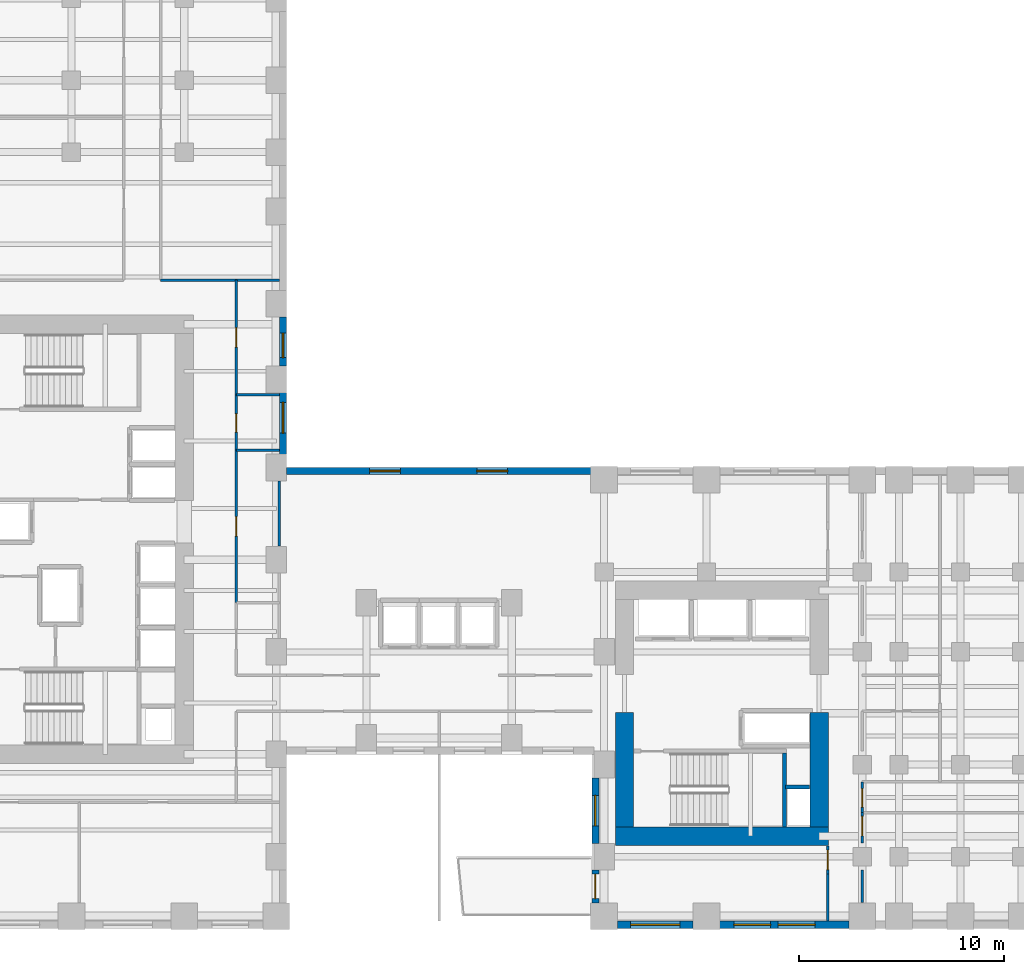
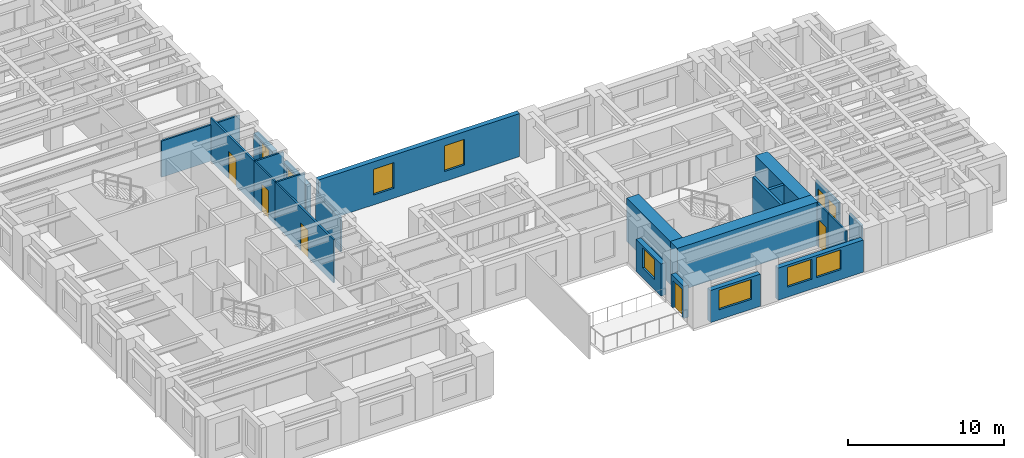
# One storey, part 6 of 12: 24 walls, 8 windows, 7 doors, 15 openings.
"""IFC4 building model written with IfcOpenShell, lengths in metres."""

import ifcopenshell
import ifcopenshell.guid

model = None  # the IFC model being written
_history = None  # IfcOwnerHistory: only IFC2X3 demands one
_inside = {}  # id of a spatial element -> (the spatial element, [elements in it])
_under = {}  # id of a project, library or spatial element -> (it, [spatial elements below it])
_declared = {}  # id of a project -> (the project, [libraries it declares])
_typed = {}  # id of a type object -> (the type object, [elements of that type])
_made_of = {}  # id of a material, layer set ... -> (it, [elements and type objects made of it])


def new_model(schema):
    """Start an empty IFC model of exactly this schema.

    Asked for "IFC4X3", IfcOpenShell would pick the latest addendum, in which some entities
    have other attributes; the version numbers below select the first issue.
    IFC2X3 requires an IfcOwnerHistory on every rooted entity: one is made here for all.
    """
    global model, _history
    if schema == "IFC4X3":
        model = ifcopenshell.file(schema_version=(4, 3, 0, 0))
    else:
        model = ifcopenshell.file(schema=schema)
    _inside.clear()
    _under.clear()
    _declared.clear()
    _typed.clear()
    _made_of.clear()
    _history = None
    if model.schema == "IFC2X3":
        org = make("IfcOrganization", Name="unknown")
        user = make(
            "IfcPersonAndOrganization",
            ThePerson=make("IfcPerson", FamilyName="unknown"),
            TheOrganization=org,
        )
        app = make(
            "IfcApplication",
            ApplicationDeveloper=org,
            Version="unknown",
            ApplicationFullName="unknown",
            ApplicationIdentifier="unknown",
        )
        _history = make(
            "IfcOwnerHistory",
            OwningUser=user,
            OwningApplication=app,
            ChangeAction="ADDED",
            CreationDate=0,
        )
    return model


def make(cls, **values):
    """One entity of the class cls with the attributes given. An attribute that is None is left unset."""
    return model.create_entity(
        cls, **{name: value for name, value in values.items() if value is not None}
    )


def rooted(cls, **values):
    """An entity with a GlobalId (a new one), such as an element, a storey or a relation."""
    return make(cls, GlobalId=ifcopenshell.guid.new(), OwnerHistory=_history, **values)


def si_unit(unit_type, name, prefix=None):
    """IfcSIUnit, for example si_unit("LENGTHUNIT", "METRE", prefix="MILLI")."""
    return make("IfcSIUnit", UnitType=unit_type, Prefix=prefix, Name=name)


def assignment(units):
    """IfcUnitAssignment: the units of a project."""
    return None if units is None else make("IfcUnitAssignment", Units=units)


def point(xyz):
    """IfcCartesianPoint."""
    return None if xyz is None else make("IfcCartesianPoint", Coordinates=xyz)


def direction(xyz):
    """IfcDirection."""
    return None if xyz is None else make("IfcDirection", DirectionRatios=xyz)


def frame(location, z_axis=None, x_axis=None):
    """IfcAxis2Placement3D, a coordinate frame: its origin and axes. An axis left out is left unset."""
    return make(
        "IfcAxis2Placement3D",
        Location=point(location),
        Axis=direction(z_axis),
        RefDirection=direction(x_axis),
    )


def frame_2d(location, x_axis=None):
    """IfcAxis2Placement2D, a coordinate frame in the plane: its origin and x axis."""
    return make(
        "IfcAxis2Placement2D", Location=point(location), RefDirection=direction(x_axis)
    )


def origin():
    """The frame at (0, 0, 0) with its axes left unset."""
    return frame((0.0, 0.0, 0.0))


def place(relative_to, where):
    """IfcLocalPlacement: puts the frame where relative to a parent placement (None: the world)."""
    return make(
        "IfcLocalPlacement", PlacementRelTo=relative_to, RelativePlacement=where
    )


def context(
    kind, dimensions, precision=None, world=None, true_north=None, identifier=None
):
    """IfcGeometricRepresentationContext, for example the 3D "Model" context."""
    return make(
        "IfcGeometricRepresentationContext",
        ContextIdentifier=identifier,
        ContextType=kind,
        CoordinateSpaceDimension=dimensions,
        Precision=precision,
        WorldCoordinateSystem=world,
        TrueNorth=true_north,
    )


def subcontext(parent, identifier, kind, view, scale=None):
    """IfcGeometricRepresentationSubContext, for example "Body" below "Model"."""
    return make(
        "IfcGeometricRepresentationSubContext",
        ContextIdentifier=identifier,
        ContextType=kind,
        ParentContext=parent,
        TargetScale=scale,
        TargetView=view,
    )


def project(units=None, contexts=None):
    """IfcProject with its units and contexts."""
    return rooted(
        "IfcProject",
        Name="project",
        RepresentationContexts=contexts,
        UnitsInContext=assignment(units),
    )


def spatial(cls, under=None, at=None, **own):
    """A site, building, storey or space (cls), placed at a placement, below another one or the project."""
    s = rooted(cls, ObjectPlacement=at, **own)
    if under is not None:
        _under.setdefault(under.id(), (under, []))[1].append(s)
    return s


def profile(cls, at=None, kind="AREA", **sizes):
    """A parametric profile (cls). Its sizes go by their IFC names, for example OverallWidth=200.0."""
    return make(cls, ProfileType=kind, Position=at, **sizes)


def rectangle(**sizes):
    """IfcRectangleProfileDef."""
    return profile("IfcRectangleProfileDef", **sizes)


def extrude(swept, where, along, depth):
    """IfcExtrudedAreaSolid: the profile swept, set in the frame where, extruded along a direction by depth."""
    return make(
        "IfcExtrudedAreaSolid",
        SweptArea=swept,
        Position=where,
        ExtrudedDirection=direction(along),
        Depth=depth,
    )


def shape(context_of_items, identifier, shape_type, items):
    """IfcShapeRepresentation: the items that make up one representation, for example the "Body"."""
    return make(
        "IfcShapeRepresentation",
        ContextOfItems=context_of_items,
        RepresentationIdentifier=identifier,
        RepresentationType=shape_type,
        Items=items,
    )


def source(mapping_origin, context_of_items, identifier, shape_type, items):
    """IfcRepresentationMap: a shape defined once, which mapped items show again and again."""
    return make(
        "IfcRepresentationMap",
        MappingOrigin=mapping_origin,
        MappedRepresentation=shape(context_of_items, identifier, shape_type, items),
    )


def transform(
    local_origin,
    x_axis=None,
    y_axis=None,
    z_axis=None,
    scale=None,
    scale2=None,
    scale3=None,
    uniform=True,
):
    """IfcCartesianTransformationOperator3D, or its non-uniform kind. x_axis, y_axis, z_axis: its Axis1, 2, 3."""
    if uniform:
        return make(
            "IfcCartesianTransformationOperator3D",
            Axis1=direction(x_axis),
            Axis2=direction(y_axis),
            LocalOrigin=point(local_origin),
            Scale=scale,
            Axis3=direction(z_axis),
        )
    return make(
        "IfcCartesianTransformationOperator3DnonUniform",
        Axis1=direction(x_axis),
        Axis2=direction(y_axis),
        LocalOrigin=point(local_origin),
        Scale=scale,
        Axis3=direction(z_axis),
        Scale2=scale2,
        Scale3=scale3,
    )


def mapped(mapping_source, mapping_target):
    """IfcMappedItem: shows the shape of a source again, moved by a transform."""
    return make(
        "IfcMappedItem", MappingSource=mapping_source, MappingTarget=mapping_target
    )


def material(Name=None, Category=None):
    """IfcMaterial."""
    return make("IfcMaterial", Name=Name, Category=Category)


def layer(
    of_material, thickness, ventilated=None, Name=None, Category=None, Priority=None
):
    """IfcMaterialLayer: one layer of a wall or slab, of a material (None: an air gap)."""
    return make(
        "IfcMaterialLayer",
        Material=of_material,
        LayerThickness=thickness,
        IsVentilated=ventilated,
        Name=Name,
        Category=Category,
        Priority=Priority,
    )


def layer_set(layers, Name=None):
    """IfcMaterialLayerSet."""
    return make("IfcMaterialLayerSet", MaterialLayers=layers, LayerSetName=Name)


def made_of(thing, what):
    """Note that an element or type object is made of a material, layer set ...; save() writes the relation."""
    if what is not None:
        _made_of.setdefault(what.id(), (what, []))[1].append(thing)
    return thing


def type_object(cls, material=None, **own):
    """A type object (cls), such as IfcWallType, which elements share."""
    return made_of(rooted(cls, **own), material)


def element(
    cls,
    number,
    at=None,
    inside=None,
    cuts=None,
    type_object=None,
    material=None,
    context=None,
    identifier="Body",
    shape_type=None,
    held_by="IfcProductDefinitionShape",
    body=None,
    shapes=None,
    **own,
):
    """One element of the class cls, such as IfcWall. Its Tag is "e" and its number.

    at: its placement. inside: the storey or other place that contains it. cuts: it is an
    opening in that element (IfcRelVoidsElement). A single representation is given by context,
    identifier, shape_type and body (its items); several are given by shapes. held_by: the class
    of the entity that holds the representations. save() writes the other relations.
    """
    e = rooted(cls, Tag="e%d" % number, ObjectPlacement=at, **own)
    if body is not None:
        shapes = [shape(context, identifier, shape_type, body)]
    if shapes is not None:
        e.Representation = make(held_by, Representations=shapes)
    if inside is not None:
        _inside.setdefault(inside.id(), (inside, []))[1].append(e)
    if cuts is not None:
        rooted(
            "IfcRelVoidsElement", RelatingBuildingElement=cuts, RelatedOpeningElement=e
        )
    if type_object is not None:
        _typed.setdefault(type_object.id(), (type_object, []))[1].append(e)
    return made_of(e, material)


def fill(opening, filler):
    """IfcRelFillsElement: the door or window that sits in an opening."""
    return rooted(
        "IfcRelFillsElement",
        RelatingOpeningElement=opening,
        RelatedBuildingElement=filler,
    )


def aggregate(whole, parts):
    """IfcRelAggregates: a whole, such as a stair, and the parts it consists of."""
    return rooted("IfcRelAggregates", RelatingObject=whole, RelatedObjects=parts)


def save(model, path):
    """Write the relations noted so far, then the file.

    IfcRelAggregates (storeys below a building ...), IfcRelContainedInSpatialStructure (elements
    in a storey), IfcRelDefinesByType, IfcRelAssociatesMaterial and IfcRelDeclares: one each for
    every whole, place, type object, material and project.
    """
    for whole, parts in _under.values():
        aggregate(whole, parts)
    for where, things in _inside.values():
        rooted(
            "IfcRelContainedInSpatialStructure",
            RelatedElements=things,
            RelatingStructure=where,
        )
    for kind, things in _typed.values():
        rooted("IfcRelDefinesByType", RelatedObjects=things, RelatingType=kind)
    for what, things in _made_of.values():
        rooted("IfcRelAssociatesMaterial", RelatedObjects=things, RelatingMaterial=what)
    for by, libraries in _declared.values():
        rooted("IfcRelDeclares", RelatingContext=by, RelatedDefinitions=libraries)
    model.write(path)


model = new_model("IFC4")

# Units and contexts
model_context = context("Model", 3, precision=1e-05, world=origin(), true_north=direction((0.0, 1.0)))
body_context = subcontext(model_context, "Body", "Model", "MODEL_VIEW")
ifc_project = project(units=[si_unit("LENGTHUNIT", "METRE"), si_unit("AREAUNIT", "SQUARE_METRE"), si_unit("VOLUMEUNIT", "CUBIC_METRE"), si_unit("PLANEANGLEUNIT", "RADIAN"), si_unit("MASSUNIT", "GRAM", prefix="KILO")], contexts=[model_context])

# Site, building, storey
site_placement = place(None, origin())
site = spatial("IfcSite", under=ifc_project, at=site_placement, CompositionType="ELEMENT")
building_placement = place(site_placement, origin())
building = spatial("IfcBuilding", under=site, at=building_placement, Name="Kharzan Plaza Tower", CompositionType="ELEMENT")
storey_placement = place(building_placement, frame((0.0, 0.0, 62.10009765625)))
storey = spatial("IfcBuildingStorey", under=building, at=storey_placement, Name="L16", CompositionType="ELEMENT", Elevation=62.10009765625)

# Wall, opening, window
ifc_material_1 = material(Name="Concrete C40/50", Category="concrete")
ifc_layer_1 = layer(ifc_material_1, 0.35009765625)
ifc_layer_set_1 = layer_set([ifc_layer_1], Name="Concrete C40/50")
wall_type_1 = type_object("IfcWallType", Name="WL-EXT-MAS-Z1", PredefinedType="SOLIDWALL", material=ifc_layer_set_1)
wall_1_placement = place(storey_placement, frame((34.574951171875, 7.35205078125, 0.0), z_axis=(0.0, 0.0, 1.0), x_axis=(0.0, -1.0, 0.0)))
wall_1 = element("IfcWall", 1, at=wall_1_placement, inside=storey, type_object=wall_type_1, Name="L16 Masonry-Frame Exterior Wall 31", PredefinedType="SOLIDWALL", context=body_context, shape_type="SweptSolid", body=[
    extrude(rectangle(XDim=3.2041015625, YDim=0.35009765625, at=frame_2d((1.60205078125, 0.0))), origin(), (0.0, 0.0, 1.0), 2.510009765625),
])
opening_1_placement = place(wall_1_placement, frame((0.85205078125, 0.0, 0.780029296875)))
opening_1 = element("IfcOpeningElement", 2, at=opening_1_placement, cuts=wall_1, Name="Opening W5", PredefinedType="OPENING", context=body_context, shape_type="SweptSolid", body=[
    extrude(rectangle(XDim=1.5, YDim=1.550048828125, at=frame_2d((0.75, 0.77490234375))), frame((0.0, 0.18505859375, 0.0), z_axis=(0.0, -1.0, 0.0), x_axis=(1.0, 0.0, 0.0)), (0.0, 0.0, 1.0), 0.3701171875),
])
ifc_material_2 = material(Name="Low-E Double Glazing", Category="glass")
window_type_1 = type_object("IfcWindowType", Name="WN-SLT-1500x2000", PartitioningType="SINGLE_PANEL", PredefinedType="WINDOW", material=ifc_material_2)
shared_shape_1 = source(origin(), body_context, "Body", "SweptSolid", [
    extrude(rectangle(XDim=1.5, YDim=1.550048828125, at=frame_2d((0.75, 0.77490234375))), frame((0.0, 0.030029296875, 0.0), z_axis=(0.0, -1.0, 0.0), x_axis=(1.0, 0.0, 0.0)), (0.0, 0.0, 1.0), 0.06005859375),
])
window_1_placement = place(opening_1_placement, origin())
window_1 = element("IfcWindow", 3, at=window_1_placement, inside=storey, type_object=window_type_1, Name="L16 Recessed Solar-Control Window 31-1", OverallHeight=1.550048828125, OverallWidth=1.5, PartitioningType="SINGLE_PANEL", PredefinedType="WINDOW", context=body_context, shape_type="MappedRepresentation", body=[
    mapped(shared_shape_1, transform((0.0, 0.0, 0.0), x_axis=(1.0, 0.0, 0.0), y_axis=(0.0, 1.0, 0.0), z_axis=(0.0, 0.0, 1.0))),
])
fill(opening_1, window_1)

# Wall, opening, door
wall_2_placement = place(storey_placement, frame((34.574951171875, 2.85205078125, 0.0), z_axis=(0.0, 0.0, 1.0), x_axis=(0.0, -1.0, 0.0)))
wall_2 = element("IfcWall", 4, at=wall_2_placement, inside=storey, type_object=wall_type_1, Name="L16 Masonry-Frame Exterior Wall 32", PredefinedType="SOLIDWALL", context=body_context, shape_type="SweptSolid", body=[
    extrude(rectangle(XDim=1.60400390625, YDim=0.35009765625, at=frame_2d((0.802001953125, 0.0))), origin(), (0.0, 0.0, 1.0), 2.510009765625),
])
opening_2_placement = place(wall_2_placement, frame((0.201904296875, 0.0, 0.0)))
opening_2 = element("IfcOpeningElement", 5, at=opening_2_placement, cuts=wall_2, Name="Opening ED3", PredefinedType="OPENING", context=body_context, shape_type="SweptSolid", body=[
    extrude(rectangle(XDim=1.199951171875, YDim=2.14990234375, at=frame_2d((0.60009765625, 1.074951171875))), frame((0.0, 0.18505859375, 0.0), z_axis=(0.0, -1.0, 0.0), x_axis=(1.0, 0.0, 0.0)), (0.0, 0.0, 1.0), 0.3701171875),
])
ifc_material_3 = material(Name="Thermally Broken Anodized Bronze Aluminium", Category="aluminium")
door_type_1 = type_object("IfcDoorType", Name="DR-EXT-TRAY-1200", OperationType="SINGLE_SWING_LEFT", PredefinedType="DOOR", material=ifc_material_3)
shared_shape_2 = source(origin(), body_context, "Body", "SweptSolid", [
    extrude(rectangle(XDim=1.199951171875, YDim=2.14990234375, at=frame_2d((0.60009765625, 1.074951171875))), frame((0.0, 0.02490234375, 0.0), z_axis=(0.0, -1.0, 0.0), x_axis=(1.0, 0.0, 0.0)), (0.0, 0.0, 1.0), 0.050048828125),
])
door_1_placement = place(opening_2_placement, frame((1.199951171875, 0.0, 0.0), z_axis=(0.0, 0.0, 1.0), x_axis=(-1.0, 0.0, 0.0)))
door_1 = element("IfcDoor", 6, at=door_1_placement, inside=storey, type_object=door_type_1, Name="L16 Cantilevered Sky-Terrace Tray Access Door", OperationType="SINGLE_SWING_LEFT", OverallHeight=2.14990234375, OverallWidth=1.199951171875, PredefinedType="DOOR", context=body_context, shape_type="MappedRepresentation", body=[
    mapped(shared_shape_2, transform((0.0, 0.0, 0.0), x_axis=(1.0, 0.0, 0.0), y_axis=(0.0, 1.0, 0.0), z_axis=(0.0, 0.0, 1.0))),
])
fill(opening_2, door_1)

# Wall, opening, window
wall_3_placement = place(storey_placement, frame((35.64794921875, 0.175048828125, 0.0), z_axis=(0.0, 0.0, 1.0), x_axis=(1.0, 0.0, 0.0)))
wall_3 = element("IfcWall", 7, at=wall_3_placement, inside=storey, type_object=wall_type_1, Name="L16 Masonry-Frame Exterior Wall 33", PredefinedType="SOLIDWALL", context=body_context, shape_type="SweptSolid", body=[
    extrude(rectangle(XDim=3.7041015625, YDim=0.35009765625, at=frame_2d((1.85205078125, 0.0))), origin(), (0.0, 0.0, 1.0), 2.510009765625),
])
opening_3_placement = place(wall_3_placement, frame((0.652099609375, 0.0, 0.780029296875)))
opening_3 = element("IfcOpeningElement", 8, at=opening_3_placement, cuts=wall_3, Name="Opening W2", PredefinedType="OPENING", context=body_context, shape_type="SweptSolid", body=[
    extrude(rectangle(XDim=2.39990234375, YDim=1.550048828125, at=frame_2d((1.199951171875, 0.77490234375))), frame((0.0, 0.18505859375, 0.0), z_axis=(0.0, -1.0, 0.0), x_axis=(1.0, 0.0, 0.0)), (0.0, 0.0, 1.0), 0.3701171875),
])
window_type_2 = type_object("IfcWindowType", Name="WN-REC-2400x2100", PartitioningType="SINGLE_PANEL", PredefinedType="WINDOW", material=ifc_material_2)
shared_shape_3 = source(origin(), body_context, "Body", "SweptSolid", [
    extrude(rectangle(XDim=2.39990234375, YDim=1.550048828125, at=frame_2d((1.199951171875, 0.77490234375))), frame((0.0, 0.030029296875, 0.0), z_axis=(0.0, -1.0, 0.0), x_axis=(1.0, 0.0, 0.0)), (0.0, 0.0, 1.0), 0.06005859375),
])
window_2_placement = place(opening_3_placement, origin())
window_2 = element("IfcWindow", 9, at=window_2_placement, inside=storey, type_object=window_type_2, Name="L16 Wide Recessed Solar-Control Window 33-1", OverallHeight=1.550048828125, OverallWidth=2.39990234375, PartitioningType="SINGLE_PANEL", PredefinedType="WINDOW", context=body_context, shape_type="MappedRepresentation", body=[
    mapped(shared_shape_3, transform((0.0, 0.0, 0.0), x_axis=(1.0, 0.0, 0.0), y_axis=(0.0, 1.0, 0.0), z_axis=(0.0, 0.0, 1.0))),
])
fill(opening_3, window_2)

# Wall, openings, windows
wall_4_placement = place(storey_placement, frame((40.64794921875, 0.175048828125, 0.0), z_axis=(0.0, 0.0, 1.0), x_axis=(1.0, 0.0, 0.0)))
wall_4 = element("IfcWall", 10, at=wall_4_placement, inside=storey, type_object=wall_type_1, Name="L16 Masonry-Frame Exterior Wall 34", PredefinedType="SOLIDWALL", context=body_context, shape_type="SweptSolid", body=[
    extrude(rectangle(XDim=6.303955078125, YDim=0.35009765625, at=frame_2d((3.15185546875, 0.0))), origin(), (0.0, 0.0, 1.0), 2.510009765625),
])
opening_4_placement = place(wall_4_placement, frame((0.687255859375, 0.0, 0.780029296875)))
opening_4 = element("IfcOpeningElement", 11, at=opening_4_placement, cuts=wall_4, Name="Opening W1", PredefinedType="OPENING", context=body_context, shape_type="SweptSolid", body=[
    extrude(rectangle(XDim=1.800048828125, YDim=1.550048828125, at=frame_2d((0.89990234375, 0.77490234375))), frame((0.0, 0.18505859375, 0.0), z_axis=(0.0, -1.0, 0.0), x_axis=(1.0, 0.0, 0.0)), (0.0, 0.0, 1.0), 0.3701171875),
])
opening_5_placement = place(wall_4_placement, frame((2.854736328125, 0.0, 0.780029296875)))
opening_5 = element("IfcOpeningElement", 12, at=opening_5_placement, cuts=wall_4, Name="Opening W1", PredefinedType="OPENING", context=body_context, shape_type="SweptSolid", body=[
    extrude(rectangle(XDim=1.800048828125, YDim=1.550048828125, at=frame_2d((0.89990234375, 0.77490234375))), frame((0.0, 0.18505859375, 0.0), z_axis=(0.0, -1.0, 0.0), x_axis=(1.0, 0.0, 0.0)), (0.0, 0.0, 1.0), 0.3701171875),
])
window_type_3 = type_object("IfcWindowType", Name="WN-REC-1800x2100", PartitioningType="SINGLE_PANEL", PredefinedType="WINDOW", material=ifc_material_2)
shared_shape_4 = source(origin(), body_context, "Body", "SweptSolid", [
    extrude(rectangle(XDim=1.800048828125, YDim=1.550048828125, at=frame_2d((0.89990234375, 0.77490234375))), frame((0.0, 0.030029296875, 0.0), z_axis=(0.0, -1.0, 0.0), x_axis=(1.0, 0.0, 0.0)), (0.0, 0.0, 1.0), 0.06005859375),
])
window_3_placement = place(opening_4_placement, origin())
window_3 = element("IfcWindow", 13, at=window_3_placement, inside=storey, type_object=window_type_3, Name="L16 Recessed Solar-Control Window 34-1", OverallHeight=1.550048828125, OverallWidth=1.800048828125, PartitioningType="SINGLE_PANEL", PredefinedType="WINDOW", context=body_context, shape_type="MappedRepresentation", body=[
    mapped(shared_shape_4, transform((0.0, 0.0, 0.0), x_axis=(1.0, 0.0, 0.0), y_axis=(0.0, 1.0, 0.0), z_axis=(0.0, 0.0, 1.0))),
])
fill(opening_4, window_3)
window_4_placement = place(opening_5_placement, origin())
window_4 = element("IfcWindow", 14, at=window_4_placement, inside=storey, type_object=window_type_3, Name="L16 Recessed Solar-Control Window 34-2", OverallHeight=1.550048828125, OverallWidth=1.800048828125, PartitioningType="SINGLE_PANEL", PredefinedType="WINDOW", context=body_context, shape_type="MappedRepresentation", body=[
    mapped(shared_shape_4, transform((0.0, 0.0, 0.0), x_axis=(1.0, 0.0, 0.0), y_axis=(0.0, 1.0, 0.0), z_axis=(0.0, 0.0, 1.0))),
])
fill(opening_5, window_4)

wall_5_placement = place(storey_placement, frame((34.35205078125, 22.324951171875, 0.0), z_axis=(0.0, 0.0, 1.0), x_axis=(-1.0, 0.0, 0.0)))
wall_5 = element("IfcWall", 15, at=wall_5_placement, inside=storey, type_object=wall_type_1, Name="L16 Masonry-Frame Exterior Wall 53", PredefinedType="SOLIDWALL", context=body_context, shape_type="SweptSolid", body=[
    extrude(rectangle(XDim=14.85400390625, YDim=0.35009765625, at=frame_2d((7.427001953125, 0.0))), origin(), (0.0, 0.0, 1.0), 3.364990234375),
])
opening_6_placement = place(wall_5_placement, frame((4.05810546875, 0.0, 0.780029296875)))
opening_6 = element("IfcOpeningElement", 16, at=opening_6_placement, cuts=wall_5, Name="Opening W5", PredefinedType="OPENING", context=body_context, shape_type="SweptSolid", body=[
    extrude(rectangle(XDim=1.5, YDim=2.0, at=frame_2d((0.75, 1.0))), frame((0.0, 0.18505859375, 0.0), z_axis=(0.0, -1.0, 0.0), x_axis=(1.0, 0.0, 0.0)), (0.0, 0.0, 1.0), 0.3701171875),
])
opening_7_placement = place(wall_5_placement, frame((9.2958984375, 0.0, 0.780029296875)))
opening_7 = element("IfcOpeningElement", 17, at=opening_7_placement, cuts=wall_5, Name="Opening W5", PredefinedType="OPENING", context=body_context, shape_type="SweptSolid", body=[
    extrude(rectangle(XDim=1.5, YDim=2.0, at=frame_2d((0.75, 1.0))), frame((0.0, 0.18505859375, 0.0), z_axis=(0.0, -1.0, 0.0), x_axis=(1.0, 0.0, 0.0)), (0.0, 0.0, 1.0), 0.3701171875),
])
shared_shape_5 = source(origin(), body_context, "Body", "SweptSolid", [
    extrude(rectangle(XDim=1.5, YDim=2.0, at=frame_2d((0.75, 1.0))), frame((0.0, 0.030029296875, 0.0), z_axis=(0.0, -1.0, 0.0), x_axis=(1.0, 0.0, 0.0)), (0.0, 0.0, 1.0), 0.06005859375),
])
window_5_placement = place(opening_6_placement, origin())
window_5 = element("IfcWindow", 18, at=window_5_placement, inside=storey, type_object=window_type_1, Name="L16 Recessed Solar-Control Window 53-1", OverallHeight=2.0, OverallWidth=1.5, PartitioningType="SINGLE_PANEL", PredefinedType="WINDOW", context=body_context, shape_type="MappedRepresentation", body=[
    mapped(shared_shape_5, transform((0.0, 0.0, 0.0), x_axis=(1.0, 0.0, 0.0), y_axis=(0.0, 1.0, 0.0), z_axis=(0.0, 0.0, 1.0))),
])
fill(opening_6, window_5)
window_6_placement = place(opening_7_placement, origin())
window_6 = element("IfcWindow", 19, at=window_6_placement, inside=storey, type_object=window_type_1, Name="L16 Recessed Solar-Control Window 53-2", OverallHeight=2.0, OverallWidth=1.5, PartitioningType="SINGLE_PANEL", PredefinedType="WINDOW", context=body_context, shape_type="MappedRepresentation", body=[
    mapped(shared_shape_5, transform((0.0, 0.0, 0.0), x_axis=(1.0, 0.0, 0.0), y_axis=(0.0, 1.0, 0.0), z_axis=(0.0, 0.0, 1.0))),
])
fill(opening_7, window_6)

# Wall, opening, window
wall_6_placement = place(storey_placement, frame((19.324951171875, 23.14794921875, 0.0), z_axis=(0.0, 0.0, 1.0), x_axis=(0.0, 1.0, 0.0)))
wall_6 = element("IfcWall", 20, at=wall_6_placement, inside=storey, type_object=wall_type_1, Name="L16 Masonry-Frame Exterior Wall 54", PredefinedType="SOLIDWALL", context=body_context, shape_type="SweptSolid", body=[
    extrude(rectangle(XDim=3.004150390625, YDim=0.35009765625, at=frame_2d((1.501953125, 0.0))), origin(), (0.0, 0.0, 1.0), 2.510009765625),
])
opening_8_placement = place(wall_6_placement, frame((1.030517578125, 0.0, 0.780029296875)))
opening_8 = element("IfcOpeningElement", 21, at=opening_8_placement, cuts=wall_6, Name="Opening W5", PredefinedType="OPENING", context=body_context, shape_type="SweptSolid", body=[
    extrude(rectangle(XDim=1.5, YDim=1.550048828125, at=frame_2d((0.75, 0.77490234375))), frame((0.0, 0.18505859375, 0.0), z_axis=(0.0, -1.0, 0.0), x_axis=(1.0, 0.0, 0.0)), (0.0, 0.0, 1.0), 0.3701171875),
])
window_7_placement = place(opening_8_placement, origin())
window_7 = element("IfcWindow", 22, at=window_7_placement, inside=storey, type_object=window_type_1, Name="L16 Recessed Solar-Control Window 54-1", OverallHeight=1.550048828125, OverallWidth=1.5, PartitioningType="SINGLE_PANEL", PredefinedType="WINDOW", context=body_context, shape_type="MappedRepresentation", body=[
    mapped(shared_shape_1, transform((0.0, 0.0, 0.0), x_axis=(1.0, 0.0, 0.0), y_axis=(0.0, 1.0, 0.0), z_axis=(0.0, 0.0, 1.0))),
])
fill(opening_8, window_7)

wall_7_placement = place(storey_placement, frame((19.324951171875, 27.447998046875, 0.0), z_axis=(0.0, 0.0, 1.0), x_axis=(0.0, 1.0, 0.0)))
wall_7 = element("IfcWall", 23, at=wall_7_placement, inside=storey, type_object=wall_type_1, Name="L16 Masonry-Frame Exterior Wall 55", PredefinedType="SOLIDWALL", context=body_context, shape_type="SweptSolid", body=[
    extrude(rectangle(XDim=2.404052734375, YDim=0.35009765625, at=frame_2d((1.2021484375, 0.0))), origin(), (0.0, 0.0, 1.0), 2.510009765625),
])
opening_9_placement = place(wall_7_placement, frame((0.417236328125, 0.0, 0.780029296875)))
opening_9 = element("IfcOpeningElement", 24, at=opening_9_placement, cuts=wall_7, Name="Opening W3", PredefinedType="OPENING", context=body_context, shape_type="SweptSolid", body=[
    extrude(rectangle(XDim=1.199951171875, YDim=1.550048828125, at=frame_2d((0.60009765625, 0.77490234375))), frame((0.0, 0.18505859375, 0.0), z_axis=(0.0, -1.0, 0.0), x_axis=(1.0, 0.0, 0.0)), (0.0, 0.0, 1.0), 0.3701171875),
])
window_type_4 = type_object("IfcWindowType", Name="WN-REC-1200x2100", PartitioningType="SINGLE_PANEL", PredefinedType="WINDOW", material=ifc_material_2)
shared_shape_6 = source(origin(), body_context, "Body", "SweptSolid", [
    extrude(rectangle(XDim=1.199951171875, YDim=1.550048828125, at=frame_2d((0.60009765625, 0.77490234375))), frame((0.0, 0.030029296875, 0.0), z_axis=(0.0, -1.0, 0.0), x_axis=(1.0, 0.0, 0.0)), (0.0, 0.0, 1.0), 0.06005859375),
])
window_8_placement = place(opening_9_placement, origin())
window_8 = element("IfcWindow", 25, at=window_8_placement, inside=storey, type_object=window_type_4, Name="L16 Recessed Solar-Control Window 55-1", OverallHeight=1.550048828125, OverallWidth=1.199951171875, PartitioningType="SINGLE_PANEL", PredefinedType="WINDOW", context=body_context, shape_type="MappedRepresentation", body=[
    mapped(shared_shape_6, transform((0.0, 0.0, 0.0), x_axis=(1.0, 0.0, 0.0), y_axis=(0.0, 1.0, 0.0), z_axis=(0.0, 0.0, 1.0))),
])
fill(opening_9, window_8)

# Wall, opening, door
ifc_material_4 = material(Name="Fire-Rated Gypsum Board Partition", Category="gypsum")
ifc_layer_2 = layer(ifc_material_4, 0.125)
ifc_layer_set_2 = layer_set([ifc_layer_2], Name="Fire-Rated Gypsum Board Partition")
wall_type_2 = type_object("IfcWallType", Name="WL-INT-PART-125", PredefinedType="PARTITIONING", material=ifc_layer_set_2)
wall_8_placement = place(storey_placement, frame((17.050048828125, 15.89990234375, 0.0), z_axis=(0.0, 0.0, 1.0), x_axis=(0.0, 1.0, 0.0)))
wall_8 = element("IfcWall", 26, at=wall_8_placement, inside=storey, type_object=wall_type_2, Name="L16 Interior Partition SH-AEWN2", PredefinedType="PARTITIONING", context=body_context, shape_type="SweptSolid", body=[
    extrude(rectangle(XDim=7.4501953125, YDim=0.125, at=frame_2d((3.72509765625, 0.0))), origin(), (0.0, 0.0, 1.0), 3.364990234375),
])
opening_10_placement = place(wall_8_placement, frame((3.25, 0.0, 0.0)))
opening_10 = element("IfcOpeningElement", 27, at=opening_10_placement, cuts=wall_8, Name="Opening OD1", PredefinedType="OPENING", context=body_context, shape_type="SweptSolid", body=[
    extrude(rectangle(XDim=0.949951171875, YDim=2.14990234375, at=frame_2d((0.47509765625, 1.074951171875))), frame((0.0, 0.072509765625, 0.0), z_axis=(0.0, -1.0, 0.0), x_axis=(1.0, 0.0, 0.0)), (0.0, 0.0, 1.0), 0.14501953125),
])
ifc_material_5 = material(Name="Acoustic Solid-Core Stained Oak", Category="timber")
door_type_2 = type_object("IfcDoorType", Name="DR-OFF-SINGLE", OperationType="NOTDEFINED", PredefinedType="DOOR", material=ifc_material_5)
shared_shape_7 = source(origin(), body_context, "Body", "SweptSolid", [
    extrude(rectangle(XDim=0.949951171875, YDim=2.14990234375, at=frame_2d((0.47509765625, 1.074951171875))), frame((0.0, 0.02490234375, 0.0), z_axis=(0.0, -1.0, 0.0), x_axis=(1.0, 0.0, 0.0)), (0.0, 0.0, 1.0), 0.050048828125),
])
door_2_placement = place(opening_10_placement, origin())
door_2 = element("IfcDoor", 28, at=door_2_placement, inside=storey, type_object=door_type_2, Name="L16 Slot Studio Door", OperationType="SINGLE_SWING_LEFT", OverallHeight=2.14990234375, OverallWidth=0.949951171875, PredefinedType="DOOR", context=body_context, shape_type="MappedRepresentation", body=[
    mapped(shared_shape_7, transform((0.0, 0.0, 0.0), x_axis=(1.0, 0.0, 0.0), y_axis=(0.0, 1.0, 0.0), z_axis=(0.0, 0.0, 1.0))),
])
fill(opening_10, door_2)

wall_9_placement = place(storey_placement, frame((17.050048828125, 26.050048828125, 0.0), z_axis=(0.0, 0.0, 1.0), x_axis=(0.0, 1.0, 0.0)))
wall_9 = element("IfcWall", 29, at=wall_9_placement, inside=storey, type_object=wall_type_2, Name="L16 Interior Partition SH-AEWN3", PredefinedType="PARTITIONING", context=body_context, shape_type="SweptSolid", body=[
    extrude(rectangle(XDim=5.599853515625, YDim=0.125, at=frame_2d((2.7998046875, 0.0))), origin(), (0.0, 0.0, 1.0), 3.364990234375),
])
opening_11_placement = place(wall_9_placement, frame((2.324951171875, 0.0, 0.0)))
opening_11 = element("IfcOpeningElement", 30, at=opening_11_placement, cuts=wall_9, Name="Opening OD1", PredefinedType="OPENING", context=body_context, shape_type="SweptSolid", body=[
    extrude(rectangle(XDim=0.949951171875, YDim=2.14990234375, at=frame_2d((0.47509765625, 1.074951171875))), frame((0.0, 0.072509765625, 0.0), z_axis=(0.0, -1.0, 0.0), x_axis=(1.0, 0.0, 0.0)), (0.0, 0.0, 1.0), 0.14501953125),
])
door_3_placement = place(opening_11_placement, origin())
door_3 = element("IfcDoor", 31, at=door_3_placement, inside=storey, type_object=door_type_2, Name="L16 Staff Tea Point Door", OperationType="SINGLE_SWING_LEFT", OverallHeight=2.14990234375, OverallWidth=0.949951171875, PredefinedType="DOOR", context=body_context, shape_type="MappedRepresentation", body=[
    mapped(shared_shape_7, transform((0.0, 0.0, 0.0), x_axis=(1.0, 0.0, 0.0), y_axis=(0.0, 1.0, 0.0), z_axis=(0.0, 0.0, 1.0))),
])
fill(opening_11, door_3)

wall_10_placement = place(storey_placement, frame((17.050048828125, 23.35009765625, 0.0), z_axis=(0.0, 0.0, 1.0), x_axis=(0.0, 1.0, 0.0)))
wall_10 = element("IfcWall", 32, at=wall_10_placement, inside=storey, type_object=wall_type_2, Name="L16 Interior Partition SH-AEWW", PredefinedType="PARTITIONING", context=body_context, shape_type="SweptSolid", body=[
    extrude(rectangle(XDim=2.699951171875, YDim=0.125, at=frame_2d((1.35009765625, 0.0))), origin(), (0.0, 0.0, 1.0), 3.364990234375),
])
opening_12_placement = place(wall_10_placement, frame((0.875, 0.0, 0.0)))
opening_12 = element("IfcOpeningElement", 33, at=opening_12_placement, cuts=wall_10, Name="Opening WD1", PredefinedType="OPENING", context=body_context, shape_type="SweptSolid", body=[
    extrude(rectangle(XDim=0.89990234375, YDim=2.14990234375, at=frame_2d((0.449951171875, 1.074951171875))), frame((0.0, 0.072509765625, 0.0), z_axis=(0.0, -1.0, 0.0), x_axis=(1.0, 0.0, 0.0)), (0.0, 0.0, 1.0), 0.14501953125),
])
ifc_material_6 = material(Name="Moisture-Resistant Fire-Rated Laminate", Category="timber")
door_type_3 = type_object("IfcDoorType", Name="DR-WC-900", OperationType="NOTDEFINED", PredefinedType="DOOR", material=ifc_material_6)
shared_shape_8 = source(origin(), body_context, "Body", "SweptSolid", [
    extrude(rectangle(XDim=0.89990234375, YDim=2.14990234375, at=frame_2d((0.449951171875, 1.074951171875))), frame((0.0, 0.02490234375, 0.0), z_axis=(0.0, -1.0, 0.0), x_axis=(1.0, 0.0, 0.0)), (0.0, 0.0, 1.0), 0.050048828125),
])
door_4_placement = place(opening_12_placement, origin())
door_4 = element("IfcDoor", 34, at=door_4_placement, inside=storey, type_object=door_type_3, Name="L16 Wing A Washroom Door", OperationType="SINGLE_SWING_RIGHT", OverallHeight=2.14990234375, OverallWidth=0.89990234375, PredefinedType="DOOR", context=body_context, shape_type="MappedRepresentation", body=[
    mapped(shared_shape_8, transform((0.0, 0.0, 0.0), x_axis=(1.0, 0.0, 0.0), y_axis=(0.0, 1.0, 0.0), z_axis=(0.0, 0.0, 1.0))),
])
fill(opening_12, door_4)

wall_11_placement = place(storey_placement, frame((47.60009765625, 4.159912109375, 0.0), z_axis=(0.0, 0.0, 1.0), x_axis=(0.0, 1.0, 0.0)))
wall_11 = element("IfcWall", 35, at=wall_11_placement, inside=storey, type_object=wall_type_2, Name="L16 Interior Partition SH-B2W0", PredefinedType="PARTITIONING", context=body_context, shape_type="SweptSolid", body=[
    extrude(rectangle(XDim=1.489990234375, YDim=0.125, at=frame_2d((0.7451171875, 0.0))), origin(), (0.0, 0.0, 1.0), 2.669921875),
])
opening_13_placement = place(wall_11_placement, frame((0.360107421875, 0.0, 0.0)))
opening_13 = element("IfcOpeningElement", 36, at=opening_13_placement, cuts=wall_11, Name="Opening OD1", PredefinedType="OPENING", context=body_context, shape_type="SweptSolid", body=[
    extrude(rectangle(XDim=0.949951171875, YDim=2.14990234375, at=frame_2d((0.47509765625, 1.074951171875))), frame((0.0, 0.072509765625, 0.0), z_axis=(0.0, -1.0, 0.0), x_axis=(1.0, 0.0, 0.0)), (0.0, 0.0, 1.0), 0.14501953125),
])
door_5_placement = place(opening_13_placement, origin())
door_5 = element("IfcDoor", 37, at=door_5_placement, inside=storey, type_object=door_type_2, Name="L16 Wing B South Office Door", OperationType="SINGLE_SWING_RIGHT", OverallHeight=2.14990234375, OverallWidth=0.949951171875, PredefinedType="DOOR", context=body_context, shape_type="MappedRepresentation", body=[
    mapped(shared_shape_7, transform((0.0, 0.0, 0.0), x_axis=(1.0, 0.0, 0.0), y_axis=(0.0, 1.0, 0.0), z_axis=(0.0, 0.0, 1.0))),
])
fill(opening_13, door_5)

wall_12_placement = place(storey_placement, frame((47.60009765625, 5.64990234375, 0.0), z_axis=(0.0, 0.0, 1.0), x_axis=(0.0, 1.0, 0.0)))
wall_12 = element("IfcWall", 38, at=wall_12_placement, inside=storey, type_object=wall_type_2, Name="L16 Interior Partition SH-B2WC", PredefinedType="PARTITIONING", context=body_context, shape_type="SweptSolid", body=[
    extrude(rectangle(XDim=1.5, YDim=0.125, at=frame_2d((0.75, 0.0))), origin(), (0.0, 0.0, 1.0), 2.669921875),
])
opening_14_placement = place(wall_12_placement, frame((0.27490234375, 0.0, 0.0)))
opening_14 = element("IfcOpeningElement", 39, at=opening_14_placement, cuts=wall_12, Name="Opening WD1", PredefinedType="OPENING", context=body_context, shape_type="SweptSolid", body=[
    extrude(rectangle(XDim=0.89990234375, YDim=2.14990234375, at=frame_2d((0.449951171875, 1.074951171875))), frame((0.0, 0.072509765625, 0.0), z_axis=(0.0, -1.0, 0.0), x_axis=(1.0, 0.0, 0.0)), (0.0, 0.0, 1.0), 0.14501953125),
])
door_6_placement = place(opening_14_placement, origin())
door_6 = element("IfcDoor", 40, at=door_6_placement, inside=storey, type_object=door_type_3, Name="L16 Wing B Washroom Door", OperationType="SINGLE_SWING_LEFT", OverallHeight=2.14990234375, OverallWidth=0.89990234375, PredefinedType="DOOR", context=body_context, shape_type="MappedRepresentation", body=[
    mapped(shared_shape_8, transform((0.0, 0.0, 0.0), x_axis=(1.0, 0.0, 0.0), y_axis=(0.0, 1.0, 0.0), z_axis=(0.0, 0.0, 1.0))),
])
fill(opening_14, door_6)

wall_13_placement = place(storey_placement, frame((45.919921875, 2.64990234375, 0.0), z_axis=(0.0, 0.0, 1.0), x_axis=(0.0, 1.0, 0.0)))
wall_13 = element("IfcWall", 41, at=wall_13_placement, inside=storey, type_object=wall_type_2, Name="L16 Interior Partition SH-RBSE", PredefinedType="PARTITIONING", context=body_context, shape_type="SweptSolid", body=[
    extrude(rectangle(XDim=1.3701171875, YDim=0.125, at=frame_2d((0.68505859375, 0.0))), origin(), (0.0, 0.0, 1.0), 3.364990234375),
])
opening_15_placement = place(wall_13_placement, frame((0.22509765625, 0.0, 0.0)))
opening_15 = element("IfcOpeningElement", 42, at=opening_15_placement, cuts=wall_13, Name="Opening OD1", PredefinedType="OPENING", context=body_context, shape_type="SweptSolid", body=[
    extrude(rectangle(XDim=0.949951171875, YDim=2.14990234375, at=frame_2d((0.47509765625, 1.074951171875))), frame((0.0, 0.072509765625, 0.0), z_axis=(0.0, -1.0, 0.0), x_axis=(1.0, 0.0, 0.0)), (0.0, 0.0, 1.0), 0.14501953125),
])
door_7_placement = place(opening_15_placement, origin())
door_7 = element("IfcDoor", 43, at=door_7_placement, inside=storey, type_object=door_type_2, Name="L16 South-East Corner Office Door", OperationType="SINGLE_SWING_RIGHT", OverallHeight=2.14990234375, OverallWidth=0.949951171875, PredefinedType="DOOR", context=body_context, shape_type="MappedRepresentation", body=[
    mapped(shared_shape_7, transform((0.0, 0.0, 0.0), x_axis=(1.0, 0.0, 0.0), y_axis=(0.0, 1.0, 0.0), z_axis=(0.0, 0.0, 1.0))),
])
fill(opening_15, door_7)

# Walls
ifc_material_7 = material(Name="Concrete C60/75", Category="concrete")
ifc_layer_3 = layer(ifc_material_7, 0.89990234375)
ifc_layer_set_3 = layer_set([ifc_layer_3], Name="Concrete C60/75")
wall_type_3 = type_object("IfcWallType", Name="WL-CORE-900", PredefinedType="SHEAR", material=ifc_layer_set_3)
shared_shape_9 = source(origin(), body_context, "Body", "SweptSolid", [
    extrude(rectangle(XDim=5.60009765625, YDim=0.89990234375, at=frame_2d((2.800048828125, 0.0))), origin(), (0.0, 0.0, 1.0), 3.3798828125),
])
for number, where, z_axis, x_axis, name in (
    (44, (45.5, 4.949951171875, 0.0), (0.0, 0.0, 1.0), (0.0, 1.0, 0.0), "L16 CORE-B east shear pier 1"),
    (45, (36.0, 4.949951171875, 0.0), (0.0, 0.0, 1.0), (0.0, 1.0, 0.0), "L16 CORE-B west shear pier 1"),
):
    element("IfcWall", number, at=place(storey_placement, frame(where, z_axis=z_axis, x_axis=x_axis)), inside=storey, type_object=wall_type_3, Name=name, PredefinedType="SHEAR", context=body_context, shape_type="MappedRepresentation", body=[
        mapped(shared_shape_9, transform((0.0, 0.0, 0.0), x_axis=(1.0, 0.0, 0.0), y_axis=(0.0, 1.0, 0.0), z_axis=(0.0, 0.0, 1.0))),
    ])
shared_shape_10 = source(origin(), body_context, "Body", "SweptSolid", [
    extrude(rectangle(XDim=10.39990234375, YDim=0.89990234375, at=frame_2d((5.199951171875, 0.0))), origin(), (0.0, 0.0, 1.0), 3.3798828125),
])
wall_14_placement = place(storey_placement, frame((35.550048828125, 4.5, 0.0), z_axis=(0.0, 0.0, 1.0), x_axis=(1.0, 0.0, 0.0)))
element("IfcWall", 46, at=wall_14_placement, inside=storey, type_object=wall_type_3, Name="L16 CORE-B south RC shear wall", PredefinedType="SHEAR", context=body_context, shape_type="MappedRepresentation", body=[
    mapped(shared_shape_10, transform((0.0, 0.0, 0.0), x_axis=(1.0, 0.0, 0.0), y_axis=(0.0, 1.0, 0.0), z_axis=(0.0, 0.0, 1.0))),
])
shared_shape_11 = source(origin(), body_context, "Body", "SweptSolid", [
    extrude(rectangle(XDim=3.18017578125, YDim=0.125, at=frame_2d((1.590087890625, 0.0))), origin(), (0.0, 0.0, 1.0), 2.669921875),
])
wall_15_placement = place(storey_placement, frame((19.14990234375, 18.659912109375, 0.0), z_axis=(0.0, 0.0, 1.0), x_axis=(0.0, 1.0, 0.0)))
element("IfcWall", 47, at=wall_15_placement, inside=storey, type_object=wall_type_2, Name="L16 Interior Partition SH-AEN-DIV-S2", PredefinedType="PARTITIONING", context=body_context, shape_type="MappedRepresentation", body=[
    mapped(shared_shape_11, transform((0.0, 0.0, 0.0), x_axis=(1.0, 0.0, 0.0), y_axis=(0.0, 1.0, 0.0), z_axis=(0.0, 0.0, 1.0))),
])
shared_shape_12 = source(origin(), body_context, "Body", "SweptSolid", [
    extrude(rectangle(XDim=1.580078125, YDim=0.125, at=frame_2d((0.7900390625, 0.0))), origin(), (0.0, 0.0, 1.0), 2.669921875),
])
wall_16_placement = place(storey_placement, frame((47.60009765625, 1.260009765625, 0.0), z_axis=(0.0, 0.0, 1.0), x_axis=(0.0, 1.0, 0.0)))
element("IfcWall", 48, at=wall_16_placement, inside=storey, type_object=wall_type_2, Name="L16 Interior Partition SH-B2W0S", PredefinedType="PARTITIONING", context=body_context, shape_type="MappedRepresentation", body=[
    mapped(shared_shape_12, transform((0.0, 0.0, 0.0), x_axis=(1.0, 0.0, 0.0), y_axis=(0.0, 1.0, 0.0), z_axis=(0.0, 0.0, 1.0))),
])
shared_shape_13 = source(origin(), body_context, "Body", "SweptSolid", [
    extrude(rectangle(XDim=2.2978515625, YDim=0.125, at=frame_2d((1.14892578125, 0.0))), origin(), (0.0, 0.0, 1.0), 3.364990234375),
])
wall_17_placement = place(storey_placement, frame((45.919921875, 0.35205078125, 0.0), z_axis=(0.0, 0.0, 1.0), x_axis=(0.0, 1.0, 0.0)))
element("IfcWall", 49, at=wall_17_placement, inside=storey, type_object=wall_type_2, Name="L16 Interior Partition SH-RBSE0", PredefinedType="PARTITIONING", context=body_context, shape_type="MappedRepresentation", body=[
    mapped(shared_shape_13, transform((0.0, 0.0, 0.0), x_axis=(1.0, 0.0, 0.0), y_axis=(0.0, 1.0, 0.0), z_axis=(0.0, 0.0, 1.0))),
])
ifc_layer_4 = layer(ifc_material_1, 0.199951171875)
ifc_layer_set_4 = layer_set([ifc_layer_4], Name="Concrete C40/50")
wall_type_4 = type_object("IfcWallType", Name="WL-INT-SHAFT-200", PredefinedType="PARTITIONING", material=ifc_layer_set_4)
shared_shape_14 = source(origin(), body_context, "Body", "SweptSolid", [
    extrude(rectangle(XDim=1.169921875, YDim=0.199951171875, at=frame_2d((0.5849609375, 0.0))), origin(), (0.0, 0.0, 1.0), 3.364990234375),
])
wall_18_placement = place(storey_placement, frame((43.85009765625, 6.89990234375, 0.0), z_axis=(0.0, 0.0, 1.0), x_axis=(1.0, 0.0, 0.0)))
element("IfcWall", 50, at=wall_18_placement, inside=storey, type_object=wall_type_4, Name="L16 Interior Partition CB-RSRB-N", PredefinedType="PARTITIONING", context=body_context, shape_type="MappedRepresentation", body=[
    mapped(shared_shape_14, transform((0.0, 0.0, 0.0), x_axis=(1.0, 0.0, 0.0), y_axis=(0.0, 1.0, 0.0), z_axis=(0.0, 0.0, 1.0))),
])
ifc_material_8 = material(Name="Concrete C50/60", Category="concrete")
ifc_layer_5 = layer(ifc_material_8, 0.199951171875)
ifc_layer_set_5 = layer_set([ifc_layer_5], Name="Concrete C50/60")
wall_type_5 = type_object("IfcWallType", Name="WL-SHAFT-RC200", PredefinedType="SHEAR", material=ifc_layer_set_5)
shared_shape_15 = source(origin(), body_context, "Body", "SweptSolid", [
    extrude(rectangle(XDim=3.60302734375, YDim=0.199951171875, at=frame_2d((1.801513671875, 0.0))), origin(), (0.0, 0.0, 1.0), 3.3798828125),
])
wall_19_placement = place(storey_placement, frame((43.804931640625, 4.951904296875, 0.0), z_axis=(0.0, 0.0, 1.0), x_axis=(0.0, 1.0, 0.0)))
element("IfcWall", 51, at=wall_19_placement, inside=storey, type_object=wall_type_5, Name="L16 Stair ST-3 East RC Shaft Wall", PredefinedType="SHEAR", context=body_context, shape_type="MappedRepresentation", body=[
    mapped(shared_shape_15, transform((0.0, 0.0, 0.0), x_axis=(1.0, 0.0, 0.0), y_axis=(0.0, 1.0, 0.0), z_axis=(0.0, 0.0, 1.0))),
])
shared_shape_16 = source(origin(), body_context, "Body", "SweptSolid", [
    extrude(rectangle(XDim=2.097900390625, YDim=0.125, at=frame_2d((1.048828125, 0.0))), origin(), (0.0, 0.0, 1.0), 3.364990234375),
])
for number, where, z_axis, x_axis, name in (
    (52, (17.050048828125, 23.35009765625, 0.0), (0.0, 0.0, 1.0), (1.0, 0.0, 0.0), "L16 Interior Partition SH-AEH-233"),
    (53, (17.050048828125, 26.050048828125, 0.0), (0.0, 0.0, 1.0), (1.0, 0.0, 0.0), "L16 Interior Partition SH-AEH-260"),
):
    element("IfcWall", number, at=place(storey_placement, frame(where, z_axis=z_axis, x_axis=x_axis)), inside=storey, type_object=wall_type_2, Name=name, PredefinedType="PARTITIONING", context=body_context, shape_type="MappedRepresentation", body=[
        mapped(shared_shape_16, transform((0.0, 0.0, 0.0), x_axis=(1.0, 0.0, 0.0), y_axis=(0.0, 1.0, 0.0), z_axis=(0.0, 0.0, 1.0))),
    ])
shared_shape_17 = source(origin(), body_context, "Body", "SweptSolid", [
    extrude(rectangle(XDim=5.7978515625, YDim=0.125, at=frame_2d((2.89892578125, 0.0))), origin(), (0.0, 0.0, 1.0), 2.827880859375),
])
wall_20_placement = place(storey_placement, frame((13.35009765625, 31.64990234375, 0.0), z_axis=(0.0, 0.0, 1.0), x_axis=(1.0, 0.0, 0.0)))
element("IfcWall", 54, at=wall_20_placement, inside=storey, type_object=wall_type_2, Name="L16 Interior Partition SH-NNE", PredefinedType="PARTITIONING", context=body_context, shape_type="MappedRepresentation", body=[
    mapped(shared_shape_17, transform((0.0, 0.0, 0.0), x_axis=(1.0, 0.0, 0.0), y_axis=(0.0, 1.0, 0.0), z_axis=(0.0, 0.0, 1.0))),
])

save(model, "model.ifc")
